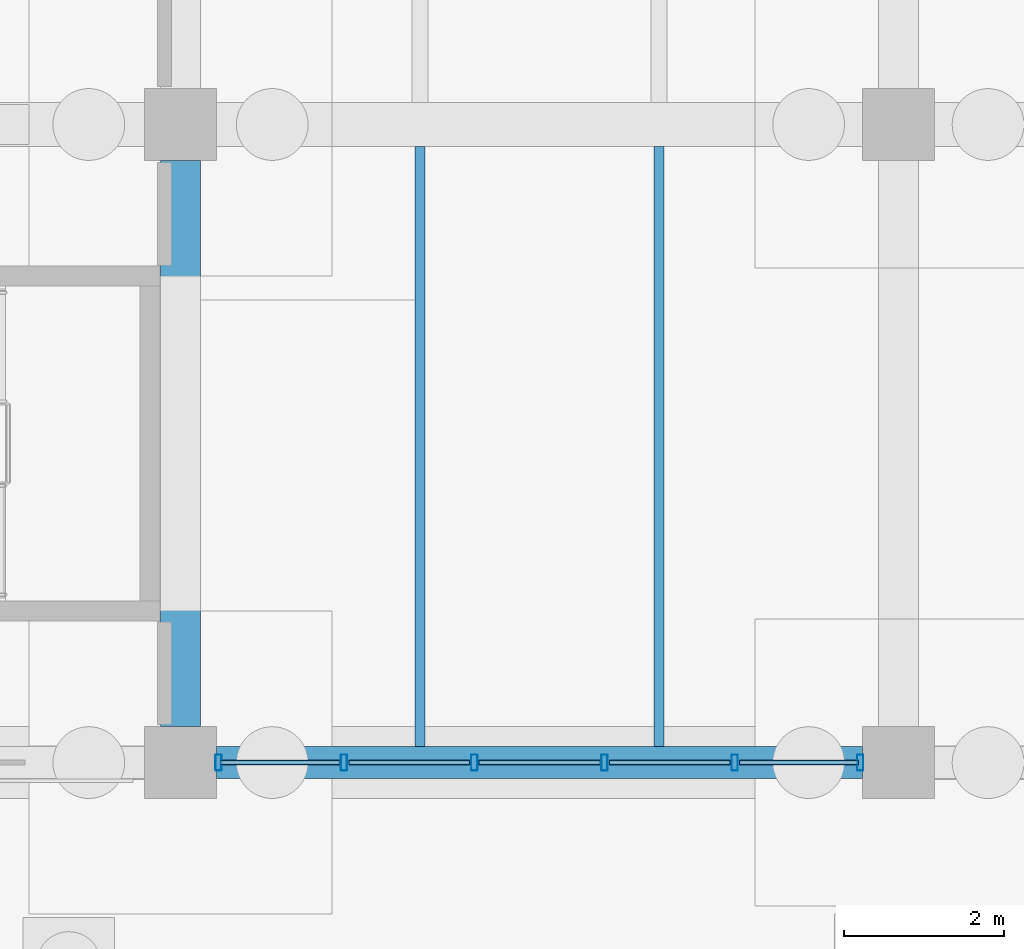
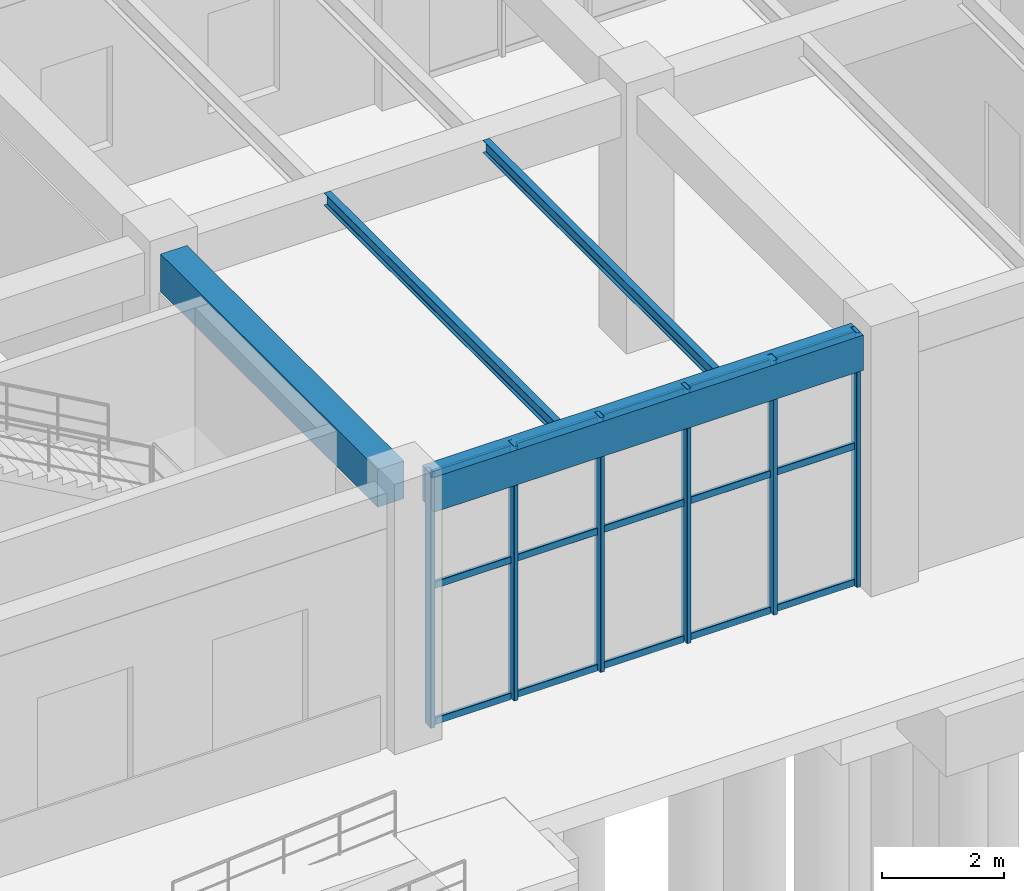
# One storey, part 54 of 121: 21 members, 4 beams, 1 element without a shape of its own.
"""IFC4 building model written with IfcOpenShell, lengths in metres."""

from ifc_helpers import new_model, si_unit, derived_unit, direction, frame, origin, origin_2d, place, context, subcontext, project, spatial, rectangle, hollow_rectangle, i_section, extrude, material, material_profile, profile_set, type_object, element, aggregate, save


model = new_model("IFC4")

# Units and contexts
model_context = context("Model", 3, precision=1e-05, world=origin(), true_north=direction((0.0, 1.0)))
body_context = subcontext(model_context, "Body", "Model", "MODEL_VIEW")
ifc_project = project(units=[si_unit("LENGTHUNIT", "METRE"), si_unit("AREAUNIT", "SQUARE_METRE"), si_unit("VOLUMEUNIT", "CUBIC_METRE"), si_unit("PLANEANGLEUNIT", "RADIAN"), si_unit("MASSUNIT", "GRAM", prefix="KILO"), derived_unit("THERMALTRANSMITTANCEUNIT", [(si_unit("MASSUNIT", "GRAM", prefix="KILO"), 1), (si_unit("TIMEUNIT", "SECOND"), -3), (si_unit("THERMODYNAMICTEMPERATUREUNIT", "KELVIN"), -1)])], contexts=[model_context])

# Site, building, storey
site_placement = place(None, origin())
site = spatial("IfcSite", under=ifc_project, at=site_placement, CompositionType="ELEMENT")
building_placement = place(site_placement, origin())
building = spatial("IfcBuilding", under=site, at=building_placement, Name="Zhenchuan Archway Interchange", CompositionType="ELEMENT")
storey_placement = place(building_placement, origin())
storey = spatial("IfcBuildingStorey", under=building, at=storey_placement, Name="L00", CompositionType="ELEMENT", Elevation=0.0)

# Beam
ifc_material_1 = material(Name="Concrete C40", Category="concrete")
ifc_material_profile_1 = material_profile(ifc_material_1, rectangle(XDim=0.5, YDim=0.75, at=origin_2d()), Name="RC 500x750")
ifc_profile_set_1 = profile_set([ifc_material_profile_1], Name="Concrete C40")
beam_type_1 = type_object("IfcBeamType", Name="BM_RC_500x750", PredefinedType="BEAM", material=ifc_profile_set_1)
beam_1_placement = place(storey_placement, frame((126.0, 8.449951171875, 4.705078125), z_axis=(0.0, 1.0, 0.0), x_axis=(-1.0, 0.0, 0.0)))
element("IfcBeam", 1, at=beam_1_placement, inside=storey, type_object=beam_type_1, Name="Beam 15:B-C (L00)", PredefinedType="BEAM", context=body_context, shape_type="SweptSolid", body=[
    extrude(rectangle(XDim=0.5, YDim=0.75, at=origin_2d()), origin(), (0.0, 0.0, 1.0), 7.10009765625),
])

# Curtain wall, members
ifc_material_2 = material(Name="Anodised Aluminium", Category="aluminium")
curtain_wall_type = type_object("IfcCurtainWallType", Name="CW_UNIT_2", PredefinedType="NOTDEFINED", material=ifc_material_2)
curtain_wall_placement = place(storey_placement, origin())
curtain_wall = element("IfcCurtainWall", 2, at=curtain_wall_placement, inside=storey, type_object=curtain_wall_type, Name="Unitised curtain wall CW:L00:017", PredefinedType="NOTDEFINED")
ifc_material_profile_2 = material_profile(ifc_material_2, hollow_rectangle(XDim=0.080078125, YDim=0.199951171875, WallThickness=0.00439453125, InnerFilletRadius=0.00439453125, OuterFilletRadius=0.009033203125, at=origin_2d()), Name="ALU 200x80x4.5")
ifc_profile_set_2 = profile_set([ifc_material_profile_2], Name="Anodised Aluminium")
member_type_1 = type_object("IfcMemberType", Name="CW_MUL_200", PredefinedType="MULLION", material=ifc_profile_set_2)
member_1_placement = place(storey_placement, frame((134.52197265625, 8.0, 0.0), z_axis=(0.0, 0.0, 1.0), x_axis=(1.0, 0.0, 0.0)))
member_1 = element("IfcMember", 3, at=member_1_placement, type_object=member_type_1, Name="CW:L00:017 mullion 0", PredefinedType="MULLION", context=body_context, shape_type="SweptSolid", body=[
    extrude(hollow_rectangle(XDim=0.080078125, YDim=0.199951171875, WallThickness=0.00439453125, InnerFilletRadius=0.00439453125, OuterFilletRadius=0.009033203125, at=origin_2d()), origin(), (0.0, 0.0, 1.0), 5.080078125),
])
member_2_placement = place(storey_placement, frame((132.94921875, 8.0, 0.0), z_axis=(0.0, 0.0, 1.0), x_axis=(1.0, 0.0, 0.0)))
member_2 = element("IfcMember", 4, at=member_2_placement, type_object=member_type_1, Name="CW:L00:017 mullion 1", PredefinedType="MULLION", context=body_context, shape_type="SweptSolid", body=[
    extrude(hollow_rectangle(XDim=0.080078125, YDim=0.199951171875, WallThickness=0.00439453125, InnerFilletRadius=0.00439453125, OuterFilletRadius=0.009033203125, at=origin_2d()), origin(), (0.0, 0.0, 1.0), 5.080078125),
])
member_3_placement = place(storey_placement, frame((131.31640625, 8.0, 0.0), z_axis=(0.0, 0.0, 1.0), x_axis=(1.0, 0.0, 0.0)))
member_3 = element("IfcMember", 5, at=member_3_placement, type_object=member_type_1, Name="CW:L00:017 mullion 2", PredefinedType="MULLION", context=body_context, shape_type="SweptSolid", body=[
    extrude(hollow_rectangle(XDim=0.080078125, YDim=0.199951171875, WallThickness=0.00439453125, InnerFilletRadius=0.00439453125, OuterFilletRadius=0.009033203125, at=origin_2d()), origin(), (0.0, 0.0, 1.0), 5.080078125),
])
member_4_placement = place(storey_placement, frame((129.68359375, 8.0, 0.0), z_axis=(0.0, 0.0, 1.0), x_axis=(1.0, 0.0, 0.0)))
member_4 = element("IfcMember", 6, at=member_4_placement, type_object=member_type_1, Name="CW:L00:017 mullion 3", PredefinedType="MULLION", context=body_context, shape_type="SweptSolid", body=[
    extrude(hollow_rectangle(XDim=0.080078125, YDim=0.199951171875, WallThickness=0.00439453125, InnerFilletRadius=0.00439453125, OuterFilletRadius=0.009033203125, at=origin_2d()), origin(), (0.0, 0.0, 1.0), 5.080078125),
])
member_5_placement = place(storey_placement, frame((128.05078125, 8.0, 0.0), z_axis=(0.0, 0.0, 1.0), x_axis=(1.0, 0.0, 0.0)))
member_5 = element("IfcMember", 7, at=member_5_placement, type_object=member_type_1, Name="CW:L00:017 mullion 4", PredefinedType="MULLION", context=body_context, shape_type="SweptSolid", body=[
    extrude(hollow_rectangle(XDim=0.080078125, YDim=0.199951171875, WallThickness=0.00439453125, InnerFilletRadius=0.00439453125, OuterFilletRadius=0.009033203125, at=origin_2d()), origin(), (0.0, 0.0, 1.0), 5.080078125),
])
member_6_placement = place(storey_placement, frame((126.47802734375, 8.0, 0.0), z_axis=(0.0, 0.0, 1.0), x_axis=(1.0, 0.0, 0.0)))
member_6 = element("IfcMember", 8, at=member_6_placement, type_object=member_type_1, Name="CW:L00:017 mullion 5", PredefinedType="MULLION", context=body_context, shape_type="SweptSolid", body=[
    extrude(hollow_rectangle(XDim=0.080078125, YDim=0.199951171875, WallThickness=0.00439453125, InnerFilletRadius=0.00439453125, OuterFilletRadius=0.009033203125, at=origin_2d()), origin(), (0.0, 0.0, 1.0), 5.080078125),
])
ifc_material_profile_3 = material_profile(ifc_material_2, hollow_rectangle(XDim=0.06005859375, YDim=0.139892578125, WallThickness=0.00341796875, InnerFilletRadius=0.00341796875, OuterFilletRadius=0.007080078125, at=origin_2d()), Name="ALU 140x60x3.5")
ifc_profile_set_3 = profile_set([ifc_material_profile_3], Name="Anodised Aluminium")
member_type_2 = type_object("IfcMemberType", Name="CW_TRN_140", PredefinedType="USERDEFINED", material=ifc_profile_set_3)
member_7_placement = place(storey_placement, frame((134.501953125, 8.0, 0.06005859375), z_axis=(-1.0, 0.0, 0.0), x_axis=(0.0, -1.0, 0.0)))
member_7 = element("IfcMember", 9, at=member_7_placement, type_object=member_type_2, Name="CW:L00:017 transom 0-1", ObjectType="TRANSOM", PredefinedType="USERDEFINED", context=body_context, shape_type="SweptSolid", body=[
    extrude(hollow_rectangle(XDim=0.06005859375, YDim=0.139892578125, WallThickness=0.00341796875, InnerFilletRadius=0.00341796875, OuterFilletRadius=0.007080078125, at=origin_2d()), origin(), (0.0, 0.0, 1.0), 1.49267578125),
])
member_8_placement = place(storey_placement, frame((134.501953125, 8.0, 2.782958984375), z_axis=(-1.0, 0.0, 0.0), x_axis=(0.0, -1.0, 0.0)))
member_8 = element("IfcMember", 10, at=member_8_placement, type_object=member_type_2, Name="CW:L00:017 transom 0-2", ObjectType="TRANSOM", PredefinedType="USERDEFINED", context=body_context, shape_type="SweptSolid", body=[
    extrude(hollow_rectangle(XDim=0.06005859375, YDim=0.139892578125, WallThickness=0.00341796875, InnerFilletRadius=0.00341796875, OuterFilletRadius=0.007080078125, at=origin_2d()), origin(), (0.0, 0.0, 1.0), 1.49267578125),
])
member_9_placement = place(storey_placement, frame((134.501953125, 8.0, 5.0), z_axis=(-1.0, 0.0, 0.0), x_axis=(0.0, -1.0, 0.0)))
member_9 = element("IfcMember", 11, at=member_9_placement, type_object=member_type_2, Name="CW:L00:017 transom 0-3", ObjectType="TRANSOM", PredefinedType="USERDEFINED", context=body_context, shape_type="SweptSolid", body=[
    extrude(hollow_rectangle(XDim=0.06005859375, YDim=0.139892578125, WallThickness=0.00341796875, InnerFilletRadius=0.00341796875, OuterFilletRadius=0.007080078125, at=origin_2d()), origin(), (0.0, 0.0, 1.0), 1.49267578125),
])
member_10_placement = place(storey_placement, frame((132.88916015625, 8.0, 0.06005859375), z_axis=(-1.0, 0.0, 0.0), x_axis=(0.0, -1.0, 0.0)))
member_10 = element("IfcMember", 12, at=member_10_placement, type_object=member_type_2, Name="CW:L00:017 transom 1-1", ObjectType="TRANSOM", PredefinedType="USERDEFINED", context=body_context, shape_type="SweptSolid", body=[
    extrude(hollow_rectangle(XDim=0.06005859375, YDim=0.139892578125, WallThickness=0.00341796875, InnerFilletRadius=0.00341796875, OuterFilletRadius=0.007080078125, at=origin_2d()), origin(), (0.0, 0.0, 1.0), 1.5126953125),
])
member_11_placement = place(storey_placement, frame((132.88916015625, 8.0, 2.782958984375), z_axis=(-1.0, 0.0, 0.0), x_axis=(0.0, -1.0, 0.0)))
member_11 = element("IfcMember", 13, at=member_11_placement, type_object=member_type_2, Name="CW:L00:017 transom 1-2", ObjectType="TRANSOM", PredefinedType="USERDEFINED", context=body_context, shape_type="SweptSolid", body=[
    extrude(hollow_rectangle(XDim=0.06005859375, YDim=0.139892578125, WallThickness=0.00341796875, InnerFilletRadius=0.00341796875, OuterFilletRadius=0.007080078125, at=origin_2d()), origin(), (0.0, 0.0, 1.0), 1.5126953125),
])
member_12_placement = place(storey_placement, frame((132.88916015625, 8.0, 5.0), z_axis=(-1.0, 0.0, 0.0), x_axis=(0.0, -1.0, 0.0)))
member_12 = element("IfcMember", 14, at=member_12_placement, type_object=member_type_2, Name="CW:L00:017 transom 1-3", ObjectType="TRANSOM", PredefinedType="USERDEFINED", context=body_context, shape_type="SweptSolid", body=[
    extrude(hollow_rectangle(XDim=0.06005859375, YDim=0.139892578125, WallThickness=0.00341796875, InnerFilletRadius=0.00341796875, OuterFilletRadius=0.007080078125, at=origin_2d()), origin(), (0.0, 0.0, 1.0), 1.5126953125),
])
member_13_placement = place(storey_placement, frame((131.25634765625, 8.0, 0.06005859375), z_axis=(-1.0, 0.0, 0.0), x_axis=(0.0, -1.0, 0.0)))
member_13 = element("IfcMember", 15, at=member_13_placement, type_object=member_type_2, Name="CW:L00:017 transom 2-1", ObjectType="TRANSOM", PredefinedType="USERDEFINED", context=body_context, shape_type="SweptSolid", body=[
    extrude(hollow_rectangle(XDim=0.06005859375, YDim=0.139892578125, WallThickness=0.00341796875, InnerFilletRadius=0.00341796875, OuterFilletRadius=0.007080078125, at=origin_2d()), origin(), (0.0, 0.0, 1.0), 1.5126953125),
])
member_14_placement = place(storey_placement, frame((131.25634765625, 8.0, 2.782958984375), z_axis=(-1.0, 0.0, 0.0), x_axis=(0.0, -1.0, 0.0)))
member_14 = element("IfcMember", 16, at=member_14_placement, type_object=member_type_2, Name="CW:L00:017 transom 2-2", ObjectType="TRANSOM", PredefinedType="USERDEFINED", context=body_context, shape_type="SweptSolid", body=[
    extrude(hollow_rectangle(XDim=0.06005859375, YDim=0.139892578125, WallThickness=0.00341796875, InnerFilletRadius=0.00341796875, OuterFilletRadius=0.007080078125, at=origin_2d()), origin(), (0.0, 0.0, 1.0), 1.5126953125),
])
member_15_placement = place(storey_placement, frame((131.25634765625, 8.0, 5.0), z_axis=(-1.0, 0.0, 0.0), x_axis=(0.0, -1.0, 0.0)))
member_15 = element("IfcMember", 17, at=member_15_placement, type_object=member_type_2, Name="CW:L00:017 transom 2-3", ObjectType="TRANSOM", PredefinedType="USERDEFINED", context=body_context, shape_type="SweptSolid", body=[
    extrude(hollow_rectangle(XDim=0.06005859375, YDim=0.139892578125, WallThickness=0.00341796875, InnerFilletRadius=0.00341796875, OuterFilletRadius=0.007080078125, at=origin_2d()), origin(), (0.0, 0.0, 1.0), 1.5126953125),
])
member_16_placement = place(storey_placement, frame((129.62353515625, 8.0, 0.06005859375), z_axis=(-1.0, 0.0, 0.0), x_axis=(0.0, -1.0, 0.0)))
member_16 = element("IfcMember", 18, at=member_16_placement, type_object=member_type_2, Name="CW:L00:017 transom 3-1", ObjectType="TRANSOM", PredefinedType="USERDEFINED", context=body_context, shape_type="SweptSolid", body=[
    extrude(hollow_rectangle(XDim=0.06005859375, YDim=0.139892578125, WallThickness=0.00341796875, InnerFilletRadius=0.00341796875, OuterFilletRadius=0.007080078125, at=origin_2d()), origin(), (0.0, 0.0, 1.0), 1.5126953125),
])
member_17_placement = place(storey_placement, frame((129.62353515625, 8.0, 2.782958984375), z_axis=(-1.0, 0.0, 0.0), x_axis=(0.0, -1.0, 0.0)))
member_17 = element("IfcMember", 19, at=member_17_placement, type_object=member_type_2, Name="CW:L00:017 transom 3-2", ObjectType="TRANSOM", PredefinedType="USERDEFINED", context=body_context, shape_type="SweptSolid", body=[
    extrude(hollow_rectangle(XDim=0.06005859375, YDim=0.139892578125, WallThickness=0.00341796875, InnerFilletRadius=0.00341796875, OuterFilletRadius=0.007080078125, at=origin_2d()), origin(), (0.0, 0.0, 1.0), 1.5126953125),
])
member_18_placement = place(storey_placement, frame((129.62353515625, 8.0, 5.0), z_axis=(-1.0, 0.0, 0.0), x_axis=(0.0, -1.0, 0.0)))
member_18 = element("IfcMember", 20, at=member_18_placement, type_object=member_type_2, Name="CW:L00:017 transom 3-3", ObjectType="TRANSOM", PredefinedType="USERDEFINED", context=body_context, shape_type="SweptSolid", body=[
    extrude(hollow_rectangle(XDim=0.06005859375, YDim=0.139892578125, WallThickness=0.00341796875, InnerFilletRadius=0.00341796875, OuterFilletRadius=0.007080078125, at=origin_2d()), origin(), (0.0, 0.0, 1.0), 1.5126953125),
])
member_19_placement = place(storey_placement, frame((127.99072265625, 8.0, 0.06005859375), z_axis=(-1.0, 0.0, 0.0), x_axis=(0.0, -1.0, 0.0)))
member_19 = element("IfcMember", 21, at=member_19_placement, type_object=member_type_2, Name="CW:L00:017 transom 4-1", ObjectType="TRANSOM", PredefinedType="USERDEFINED", context=body_context, shape_type="SweptSolid", body=[
    extrude(hollow_rectangle(XDim=0.06005859375, YDim=0.139892578125, WallThickness=0.00341796875, InnerFilletRadius=0.00341796875, OuterFilletRadius=0.007080078125, at=origin_2d()), origin(), (0.0, 0.0, 1.0), 1.49267578125),
])
member_20_placement = place(storey_placement, frame((127.99072265625, 8.0, 2.782958984375), z_axis=(-1.0, 0.0, 0.0), x_axis=(0.0, -1.0, 0.0)))
member_20 = element("IfcMember", 22, at=member_20_placement, type_object=member_type_2, Name="CW:L00:017 transom 4-2", ObjectType="TRANSOM", PredefinedType="USERDEFINED", context=body_context, shape_type="SweptSolid", body=[
    extrude(hollow_rectangle(XDim=0.06005859375, YDim=0.139892578125, WallThickness=0.00341796875, InnerFilletRadius=0.00341796875, OuterFilletRadius=0.007080078125, at=origin_2d()), origin(), (0.0, 0.0, 1.0), 1.49267578125),
])
member_21_placement = place(storey_placement, frame((127.99072265625, 8.0, 5.0), z_axis=(-1.0, 0.0, 0.0), x_axis=(0.0, -1.0, 0.0)))
member_21 = element("IfcMember", 23, at=member_21_placement, type_object=member_type_2, Name="CW:L00:017 transom 4-3", ObjectType="TRANSOM", PredefinedType="USERDEFINED", context=body_context, shape_type="SweptSolid", body=[
    extrude(hollow_rectangle(XDim=0.06005859375, YDim=0.139892578125, WallThickness=0.00341796875, InnerFilletRadius=0.00341796875, OuterFilletRadius=0.007080078125, at=origin_2d()), origin(), (0.0, 0.0, 1.0), 1.49267578125),
])
aggregate(curtain_wall, [member_1, member_2, member_3, member_4, member_5, member_6, member_7, member_8, member_9, member_10, member_11, member_12, member_13, member_14, member_15, member_16, member_17, member_18, member_19, member_20, member_21])

# Beams
ifc_material_3 = material(Name="Steel Q355", Category="steel")
ifc_material_profile_4 = material_profile(ifc_material_3, i_section(OverallWidth=0.125, OverallDepth=0.25, WebThickness=0.006103515625, FlangeThickness=0.009033203125, FilletRadius=0.011962890625, at=origin_2d()), Name="HN 250x125")
ifc_profile_set_4 = profile_set([ifc_material_profile_4], Name="Steel Q355")
beam_type_2 = type_object("IfcBeamType", Name="JST_STL_HN250", PredefinedType="JOIST", material=ifc_profile_set_4)
for number, where, z_axis, x_axis, name in (
    (24, (129.0, 8.199951171875, 4.955078125), (0.0, 1.0, 0.0), (-1.0, 0.0, 0.0), "Secondary joist 15-16/B-C #1 (L00)"),
    (25, (132.0, 8.199951171875, 4.955078125), (0.0, 1.0, 0.0), (-1.0, 0.0, 0.0), "Secondary joist 15-16/B-C #2 (L00)"),
):
    element("IfcBeam", number, at=place(storey_placement, frame(where, z_axis=z_axis, x_axis=x_axis)), inside=storey, type_object=beam_type_2, Name=name, PredefinedType="JOIST", context=body_context, shape_type="SweptSolid", body=[
        extrude(i_section(OverallWidth=0.125, OverallDepth=0.25, WebThickness=0.006103515625, FlangeThickness=0.009033203125, FilletRadius=0.011962890625, at=origin_2d()), origin(), (0.0, 0.0, 1.0), 7.525146484375),
    ])
ifc_material_profile_5 = material_profile(ifc_material_1, rectangle(XDim=0.39990234375, YDim=0.699951171875, at=origin_2d()), Name="RC 400x700")
ifc_profile_set_5 = profile_set([ifc_material_profile_5], Name="Concrete C40")
beam_type_3 = type_object("IfcBeamType", Name="SP_RC_400x700", PredefinedType="SPANDREL", material=ifc_profile_set_5)
beam_2_placement = place(storey_placement, frame((126.449951171875, 8.0, 4.72998046875), z_axis=(1.0, 0.0, 0.0), x_axis=(0.0, 1.0, 0.0)))
element("IfcBeam", 26, at=beam_2_placement, inside=storey, type_object=beam_type_3, Name="Beam B:15-16 (L00)", PredefinedType="SPANDREL", context=body_context, shape_type="SweptSolid", body=[
    extrude(rectangle(XDim=0.39990234375, YDim=0.699951171875, at=origin_2d()), origin(), (0.0, 0.0, 1.0), 8.10009765625),
])

save(model, "model.ifc")
